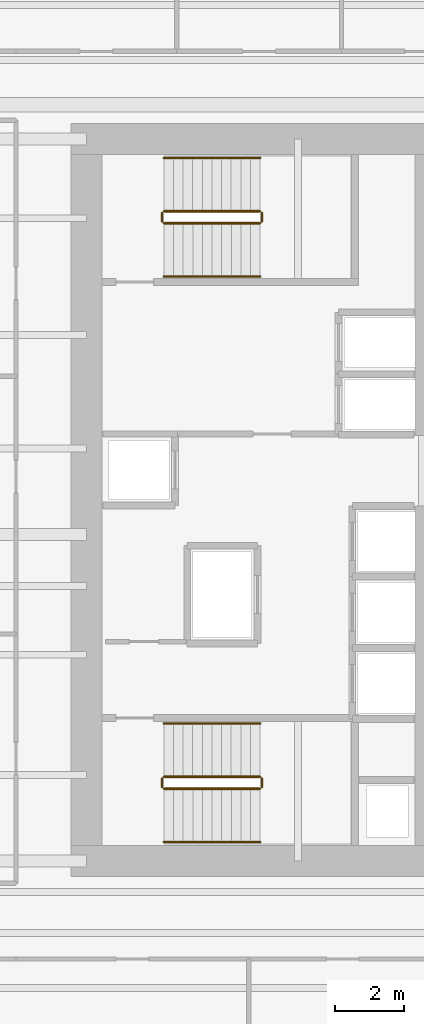
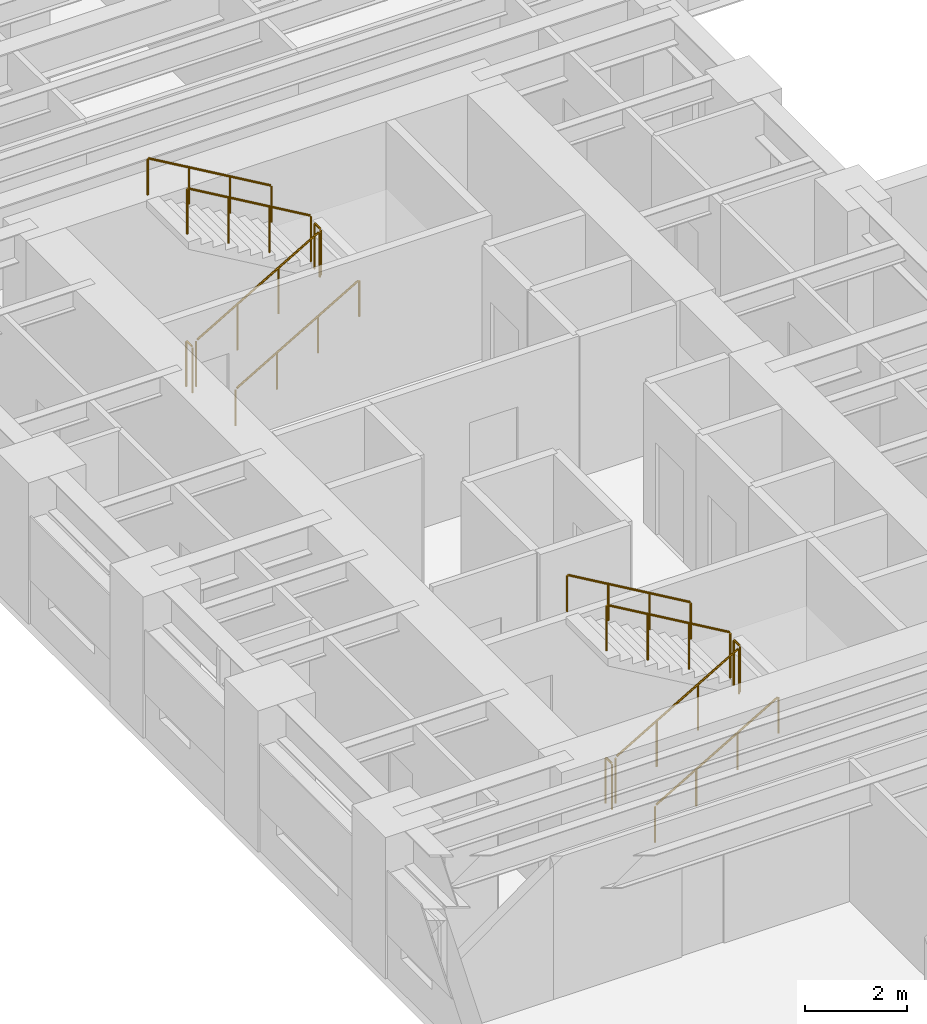
# One storey, part 13 of 14: 12 railings.
"""IFC4 building model written with IfcOpenShell, lengths in metres."""

import ifcopenshell
import ifcopenshell.guid

model = None  # the IFC model being written
_history = None  # IfcOwnerHistory: only IFC2X3 demands one
_inside = {}  # id of a spatial element -> (the spatial element, [elements in it])
_under = {}  # id of a project, library or spatial element -> (it, [spatial elements below it])
_declared = {}  # id of a project -> (the project, [libraries it declares])
_typed = {}  # id of a type object -> (the type object, [elements of that type])
_made_of = {}  # id of a material, layer set ... -> (it, [elements and type objects made of it])


def new_model(schema):
    """Start an empty IFC model of exactly this schema.

    Asked for "IFC4X3", IfcOpenShell would pick the latest addendum, in which some entities
    have other attributes; the version numbers below select the first issue.
    IFC2X3 requires an IfcOwnerHistory on every rooted entity: one is made here for all.
    """
    global model, _history
    if schema == "IFC4X3":
        model = ifcopenshell.file(schema_version=(4, 3, 0, 0))
    else:
        model = ifcopenshell.file(schema=schema)
    _inside.clear()
    _under.clear()
    _declared.clear()
    _typed.clear()
    _made_of.clear()
    _history = None
    if model.schema == "IFC2X3":
        org = make("IfcOrganization", Name="unknown")
        user = make(
            "IfcPersonAndOrganization",
            ThePerson=make("IfcPerson", FamilyName="unknown"),
            TheOrganization=org,
        )
        app = make(
            "IfcApplication",
            ApplicationDeveloper=org,
            Version="unknown",
            ApplicationFullName="unknown",
            ApplicationIdentifier="unknown",
        )
        _history = make(
            "IfcOwnerHistory",
            OwningUser=user,
            OwningApplication=app,
            ChangeAction="ADDED",
            CreationDate=0,
        )
    return model


def make(cls, **values):
    """One entity of the class cls with the attributes given. An attribute that is None is left unset."""
    return model.create_entity(
        cls, **{name: value for name, value in values.items() if value is not None}
    )


def rooted(cls, **values):
    """An entity with a GlobalId (a new one), such as an element, a storey or a relation."""
    return make(cls, GlobalId=ifcopenshell.guid.new(), OwnerHistory=_history, **values)


def si_unit(unit_type, name, prefix=None):
    """IfcSIUnit, for example si_unit("LENGTHUNIT", "METRE", prefix="MILLI")."""
    return make("IfcSIUnit", UnitType=unit_type, Prefix=prefix, Name=name)


def assignment(units):
    """IfcUnitAssignment: the units of a project."""
    return None if units is None else make("IfcUnitAssignment", Units=units)


def point(xyz):
    """IfcCartesianPoint."""
    return None if xyz is None else make("IfcCartesianPoint", Coordinates=xyz)


def direction(xyz):
    """IfcDirection."""
    return None if xyz is None else make("IfcDirection", DirectionRatios=xyz)


def frame(location, z_axis=None, x_axis=None):
    """IfcAxis2Placement3D, a coordinate frame: its origin and axes. An axis left out is left unset."""
    return make(
        "IfcAxis2Placement3D",
        Location=point(location),
        Axis=direction(z_axis),
        RefDirection=direction(x_axis),
    )


def frame_2d(location, x_axis=None):
    """IfcAxis2Placement2D, a coordinate frame in the plane: its origin and x axis."""
    return make(
        "IfcAxis2Placement2D", Location=point(location), RefDirection=direction(x_axis)
    )


def origin():
    """The frame at (0, 0, 0) with its axes left unset."""
    return frame((0.0, 0.0, 0.0))


def origin_2d():
    """The frame at (0, 0) in the plane with its x axis left unset."""
    return frame_2d((0.0, 0.0))


def place(relative_to, where):
    """IfcLocalPlacement: puts the frame where relative to a parent placement (None: the world)."""
    return make(
        "IfcLocalPlacement", PlacementRelTo=relative_to, RelativePlacement=where
    )


def context(
    kind, dimensions, precision=None, world=None, true_north=None, identifier=None
):
    """IfcGeometricRepresentationContext, for example the 3D "Model" context."""
    return make(
        "IfcGeometricRepresentationContext",
        ContextIdentifier=identifier,
        ContextType=kind,
        CoordinateSpaceDimension=dimensions,
        Precision=precision,
        WorldCoordinateSystem=world,
        TrueNorth=true_north,
    )


def subcontext(parent, identifier, kind, view, scale=None):
    """IfcGeometricRepresentationSubContext, for example "Body" below "Model"."""
    return make(
        "IfcGeometricRepresentationSubContext",
        ContextIdentifier=identifier,
        ContextType=kind,
        ParentContext=parent,
        TargetScale=scale,
        TargetView=view,
    )


def project(units=None, contexts=None):
    """IfcProject with its units and contexts."""
    return rooted(
        "IfcProject",
        Name="project",
        RepresentationContexts=contexts,
        UnitsInContext=assignment(units),
    )


def spatial(cls, under=None, at=None, **own):
    """A site, building, storey or space (cls), placed at a placement, below another one or the project."""
    s = rooted(cls, ObjectPlacement=at, **own)
    if under is not None:
        _under.setdefault(under.id(), (under, []))[1].append(s)
    return s


def profile(cls, at=None, kind="AREA", **sizes):
    """A parametric profile (cls). Its sizes go by their IFC names, for example OverallWidth=200.0."""
    return make(cls, ProfileType=kind, Position=at, **sizes)


def circle(**sizes):
    """IfcCircleProfileDef."""
    return profile("IfcCircleProfileDef", **sizes)


def extrude(swept, where, along, depth):
    """IfcExtrudedAreaSolid: the profile swept, set in the frame where, extruded along a direction by depth."""
    return make(
        "IfcExtrudedAreaSolid",
        SweptArea=swept,
        Position=where,
        ExtrudedDirection=direction(along),
        Depth=depth,
    )


def shape(context_of_items, identifier, shape_type, items):
    """IfcShapeRepresentation: the items that make up one representation, for example the "Body"."""
    return make(
        "IfcShapeRepresentation",
        ContextOfItems=context_of_items,
        RepresentationIdentifier=identifier,
        RepresentationType=shape_type,
        Items=items,
    )


def source(mapping_origin, context_of_items, identifier, shape_type, items):
    """IfcRepresentationMap: a shape defined once, which mapped items show again and again."""
    return make(
        "IfcRepresentationMap",
        MappingOrigin=mapping_origin,
        MappedRepresentation=shape(context_of_items, identifier, shape_type, items),
    )


def transform(
    local_origin,
    x_axis=None,
    y_axis=None,
    z_axis=None,
    scale=None,
    scale2=None,
    scale3=None,
    uniform=True,
):
    """IfcCartesianTransformationOperator3D, or its non-uniform kind. x_axis, y_axis, z_axis: its Axis1, 2, 3."""
    if uniform:
        return make(
            "IfcCartesianTransformationOperator3D",
            Axis1=direction(x_axis),
            Axis2=direction(y_axis),
            LocalOrigin=point(local_origin),
            Scale=scale,
            Axis3=direction(z_axis),
        )
    return make(
        "IfcCartesianTransformationOperator3DnonUniform",
        Axis1=direction(x_axis),
        Axis2=direction(y_axis),
        LocalOrigin=point(local_origin),
        Scale=scale,
        Axis3=direction(z_axis),
        Scale2=scale2,
        Scale3=scale3,
    )


def mapped(mapping_source, mapping_target):
    """IfcMappedItem: shows the shape of a source again, moved by a transform."""
    return make(
        "IfcMappedItem", MappingSource=mapping_source, MappingTarget=mapping_target
    )


def material(Name=None, Category=None):
    """IfcMaterial."""
    return make("IfcMaterial", Name=Name, Category=Category)


def layer(
    of_material, thickness, ventilated=None, Name=None, Category=None, Priority=None
):
    """IfcMaterialLayer: one layer of a wall or slab, of a material (None: an air gap)."""
    return make(
        "IfcMaterialLayer",
        Material=of_material,
        LayerThickness=thickness,
        IsVentilated=ventilated,
        Name=Name,
        Category=Category,
        Priority=Priority,
    )


def layer_set(layers, Name=None):
    """IfcMaterialLayerSet."""
    return make("IfcMaterialLayerSet", MaterialLayers=layers, LayerSetName=Name)


def made_of(thing, what):
    """Note that an element or type object is made of a material, layer set ...; save() writes the relation."""
    if what is not None:
        _made_of.setdefault(what.id(), (what, []))[1].append(thing)
    return thing


def type_object(cls, material=None, **own):
    """A type object (cls), such as IfcWallType, which elements share."""
    return made_of(rooted(cls, **own), material)


def element(
    cls,
    number,
    at=None,
    inside=None,
    cuts=None,
    type_object=None,
    material=None,
    context=None,
    identifier="Body",
    shape_type=None,
    held_by="IfcProductDefinitionShape",
    body=None,
    shapes=None,
    **own,
):
    """One element of the class cls, such as IfcWall. Its Tag is "e" and its number.

    at: its placement. inside: the storey or other place that contains it. cuts: it is an
    opening in that element (IfcRelVoidsElement). A single representation is given by context,
    identifier, shape_type and body (its items); several are given by shapes. held_by: the class
    of the entity that holds the representations. save() writes the other relations.
    """
    e = rooted(cls, Tag="e%d" % number, ObjectPlacement=at, **own)
    if body is not None:
        shapes = [shape(context, identifier, shape_type, body)]
    if shapes is not None:
        e.Representation = make(held_by, Representations=shapes)
    if inside is not None:
        _inside.setdefault(inside.id(), (inside, []))[1].append(e)
    if cuts is not None:
        rooted(
            "IfcRelVoidsElement", RelatingBuildingElement=cuts, RelatedOpeningElement=e
        )
    if type_object is not None:
        _typed.setdefault(type_object.id(), (type_object, []))[1].append(e)
    return made_of(e, material)


def aggregate(whole, parts):
    """IfcRelAggregates: a whole, such as a stair, and the parts it consists of."""
    return rooted("IfcRelAggregates", RelatingObject=whole, RelatedObjects=parts)


def save(model, path):
    """Write the relations noted so far, then the file.

    IfcRelAggregates (storeys below a building ...), IfcRelContainedInSpatialStructure (elements
    in a storey), IfcRelDefinesByType, IfcRelAssociatesMaterial and IfcRelDeclares: one each for
    every whole, place, type object, material and project.
    """
    for whole, parts in _under.values():
        aggregate(whole, parts)
    for where, things in _inside.values():
        rooted(
            "IfcRelContainedInSpatialStructure",
            RelatedElements=things,
            RelatingStructure=where,
        )
    for kind, things in _typed.values():
        rooted("IfcRelDefinesByType", RelatedObjects=things, RelatingType=kind)
    for what, things in _made_of.values():
        rooted("IfcRelAssociatesMaterial", RelatedObjects=things, RelatingMaterial=what)
    for by, libraries in _declared.values():
        rooted("IfcRelDeclares", RelatingContext=by, RelatedDefinitions=libraries)
    model.write(path)


model = new_model("IFC4")

# Units and contexts
model_context = context("Model", 3, precision=1e-05, world=origin(), true_north=direction((0.0, 1.0)))
body_context = subcontext(model_context, "Body", "Model", "MODEL_VIEW")
ifc_project = project(units=[si_unit("LENGTHUNIT", "METRE"), si_unit("AREAUNIT", "SQUARE_METRE"), si_unit("VOLUMEUNIT", "CUBIC_METRE"), si_unit("PLANEANGLEUNIT", "RADIAN"), si_unit("MASSUNIT", "GRAM", prefix="KILO")], contexts=[model_context])

# Site, building, storey
site_placement = place(None, origin())
site = spatial("IfcSite", under=ifc_project, at=site_placement, CompositionType="ELEMENT")
building_placement = place(site_placement, origin())
building = spatial("IfcBuilding", under=site, at=building_placement, Name="Kharzan Plaza Tower", CompositionType="ELEMENT")
storey_placement = place(building_placement, frame((0.0, 0.0, 36.89990234375)))
storey = spatial("IfcBuildingStorey", under=building, at=storey_placement, Name="L09", CompositionType="ELEMENT", Elevation=36.89990234375)

# Railings
ifc_material_1 = material(Name="Painted Galvanized Architectural Steel", Category="steel")
ifc_layer_1 = layer(ifc_material_1, 0.074951171875)
ifc_layer_set_1 = layer_set([ifc_layer_1], Name="Painted Galvanized Architectural Steel")
railing_type_1 = type_object("IfcRailingType", Name="RL-GUARD-1120", PredefinedType="BALUSTRADE", material=ifc_layer_set_1)
shared_shape_1 = source(origin(), body_context, "Body", "SweptSolid", [
    extrude(circle(Radius=0.02392578125, at=origin_2d()), frame((0.0, 0.0263671875, 1.09619140625), z_axis=(0.0, 1.0, 0.0), x_axis=(-1.0, 0.0, 0.0)), (0.0, 0.0, 1.0), 0.197021484375),
    extrude(circle(Radius=0.02099609375, at=origin_2d()), origin(), (0.0, 0.0, 1.0), 1.072021484375),
    extrude(circle(Radius=0.02099609375, at=origin_2d()), frame((0.0, 0.25, 0.0)), (0.0, 0.0, 1.0), 1.072021484375),
])
for number, where, name in (
    (1, (9.60009765625, 10.64990234375, 1.800048828125), "L09 ST-1 stair guard 2"),
    (2, (6.699951171875, 10.64990234375, 0.0), "L09 ST-1 stair guard 4"),
    (3, (9.60009765625, 27.10009765625, 1.800048828125), "L09 ST-2 stair guard 2"),
    (4, (6.699951171875, 27.10009765625, 0.0), "L09 ST-2 stair guard 4"),
):
    element("IfcRailing", number, at=place(storey_placement, frame(where)), inside=storey, type_object=railing_type_1, Name=name, PredefinedType="BALUSTRADE", context=body_context, shape_type="MappedRepresentation", body=[
        mapped(shared_shape_1, transform((0.0, 0.0, 0.0), x_axis=(1.0, 0.0, 0.0), y_axis=(0.0, 1.0, 0.0), z_axis=(0.0, 0.0, 1.0))),
    ])
shared_shape_2 = source(origin(), body_context, "Body", "SweptSolid", [
    extrude(circle(Radius=0.02392578125, at=origin_2d()), frame((-0.02294921875, 0.0, 1.109375), z_axis=(-0.863360870873, 0.0, 0.504586966384), x_axis=(0.0, -1.0, 0.0)), (0.0, 0.0, 1.0), 3.190185546875),
    extrude(circle(Radius=0.02099609375, at=origin_2d()), origin(), (0.0, 0.0, 1.0), 1.072021484375),
    extrude(circle(Radius=0.02099609375, at=origin_2d()), frame((-0.933349609375, 0.0, 0.54541015625)), (0.0, 0.0, 1.0), 1.072021484375),
    extrude(circle(Radius=0.02099609375, at=origin_2d()), frame((-1.86669921875, 0.0, 1.091064453125)), (0.0, 0.0, 1.0), 1.072021484375),
    extrude(circle(Radius=0.02099609375, at=origin_2d()), frame((-2.800048828125, 0.0, 1.636474609375)), (0.0, 0.0, 1.0), 1.072021484375),
])
for number, where, name in (
    (5, (9.550048828125, 10.949951171875, 1.963623046875), "L09 ST-1 stair guard 3"),
    (6, (9.550048828125, 27.39990234375, 1.963623046875), "L09 ST-2 stair guard 3"),
):
    element("IfcRailing", number, at=place(storey_placement, frame(where)), inside=storey, type_object=railing_type_1, Name=name, PredefinedType="BALUSTRADE", context=body_context, shape_type="MappedRepresentation", body=[
        mapped(shared_shape_2, transform((0.0, 0.0, 0.0), x_axis=(1.0, 0.0, 0.0), y_axis=(0.0, 1.0, 0.0), z_axis=(0.0, 0.0, 1.0))),
    ])
ifc_material_2 = material(Name="Brushed Stainless Steel", Category="steel")
ifc_layer_2 = layer(ifc_material_2, 0.050048828125)
ifc_layer_set_2 = layer_set([ifc_layer_2], Name="Brushed Stainless Steel")
railing_type_2 = type_object("IfcRailingType", Name="RL-STAIR-HR920", PredefinedType="HANDRAIL", material=ifc_layer_set_2)
shared_shape_3 = source(origin(), body_context, "Body", "SweptSolid", [
    extrude(circle(Radius=0.02392578125, at=origin_2d()), frame((-0.02294921875, 0.0, 0.88916015625), z_axis=(-0.863360870873, 0.0, 0.504586966384), x_axis=(0.0, -1.0, 0.0)), (0.0, 0.0, 1.0), 3.190185546875),
    extrude(circle(Radius=0.02099609375, at=origin_2d()), origin(), (0.0, 0.0, 1.0), 0.851806640625),
    extrude(circle(Radius=0.02099609375, at=origin_2d()), frame((-0.933349609375, 0.0, 0.54541015625)), (0.0, 0.0, 1.0), 0.851806640625),
    extrude(circle(Radius=0.02099609375, at=origin_2d()), frame((-1.86669921875, 0.0, 1.091064453125)), (0.0, 0.0, 1.0), 0.851806640625),
    extrude(circle(Radius=0.02099609375, at=origin_2d()), frame((-2.800048828125, 0.0, 1.636474609375)), (0.0, 0.0, 1.0), 0.851806640625),
])
for number, where, name in (
    (7, (9.550048828125, 12.5, 1.963623046875), "L09 ST-1 stair handrail 2"),
    (8, (9.550048828125, 28.949951171875, 1.963623046875), "L09 ST-2 stair handrail 2"),
):
    element("IfcRailing", number, at=place(storey_placement, frame(where)), inside=storey, type_object=railing_type_2, Name=name, PredefinedType="HANDRAIL", context=body_context, shape_type="MappedRepresentation", body=[
        mapped(shared_shape_3, transform((0.0, 0.0, 0.0), x_axis=(1.0, 0.0, 0.0), y_axis=(0.0, 1.0, 0.0), z_axis=(0.0, 0.0, 1.0))),
    ])
shared_shape_4 = source(origin(), body_context, "Body", "SweptSolid", [
    extrude(circle(Radius=0.02392578125, at=origin_2d()), frame((0.02294921875, 0.0, 1.109375), z_axis=(0.863393664356, 0.0, 0.504530851732), x_axis=(0.0, 1.0, 0.0)), (0.0, 0.0, 1.0), 3.190185546875),
    extrude(circle(Radius=0.02099609375, at=origin_2d()), origin(), (0.0, 0.0, 1.0), 1.072021484375),
    extrude(circle(Radius=0.02099609375, at=origin_2d()), frame((0.933349609375, 0.0, 0.54541015625)), (0.0, 0.0, 1.0), 1.072021484375),
    extrude(circle(Radius=0.02099609375, at=origin_2d()), frame((1.86669921875, 0.0, 1.0908203125)), (0.0, 0.0, 1.0), 1.072021484375),
    extrude(circle(Radius=0.02099609375, at=origin_2d()), frame((2.800048828125, 0.0, 1.63623046875)), (0.0, 0.0, 1.0), 1.072021484375),
])
for number, where, name in (
    (9, (6.75, 10.60009765625, 0.163818359375), "L09 ST-1 stair guard 1"),
    (10, (6.75, 27.050048828125, 0.163818359375), "L09 ST-2 stair guard 1"),
):
    element("IfcRailing", number, at=place(storey_placement, frame(where)), inside=storey, type_object=railing_type_1, Name=name, PredefinedType="BALUSTRADE", context=body_context, shape_type="MappedRepresentation", body=[
        mapped(shared_shape_4, transform((0.0, 0.0, 0.0), x_axis=(1.0, 0.0, 0.0), y_axis=(0.0, 1.0, 0.0), z_axis=(0.0, 0.0, 1.0))),
    ])
shared_shape_5 = source(origin(), body_context, "Body", "SweptSolid", [
    extrude(circle(Radius=0.02392578125, at=origin_2d()), frame((0.02294921875, 0.0, 0.88916015625), z_axis=(0.863393664356, 0.0, 0.504530851732), x_axis=(0.0, 1.0, 0.0)), (0.0, 0.0, 1.0), 3.190185546875),
    extrude(circle(Radius=0.02099609375, at=origin_2d()), origin(), (0.0, 0.0, 1.0), 0.851806640625),
    extrude(circle(Radius=0.02099609375, at=origin_2d()), frame((0.933349609375, 0.0, 0.54541015625)), (0.0, 0.0, 1.0), 0.851806640625),
    extrude(circle(Radius=0.02099609375, at=origin_2d()), frame((1.86669921875, 0.0, 1.0908203125)), (0.0, 0.0, 1.0), 0.851806640625),
    extrude(circle(Radius=0.02099609375, at=origin_2d()), frame((2.800048828125, 0.0, 1.63623046875)), (0.0, 0.0, 1.0), 0.851806640625),
])
for number, where, name in (
    (11, (6.75, 9.050048828125, 0.163818359375), "L09 ST-1 stair handrail 1"),
    (12, (6.75, 25.5, 0.163818359375), "L09 ST-2 stair handrail 1"),
):
    element("IfcRailing", number, at=place(storey_placement, frame(where)), inside=storey, type_object=railing_type_2, Name=name, PredefinedType="HANDRAIL", context=body_context, shape_type="MappedRepresentation", body=[
        mapped(shared_shape_5, transform((0.0, 0.0, 0.0), x_axis=(1.0, 0.0, 0.0), y_axis=(0.0, 1.0, 0.0), z_axis=(0.0, 0.0, 1.0))),
    ])

save(model, "model.ifc")
